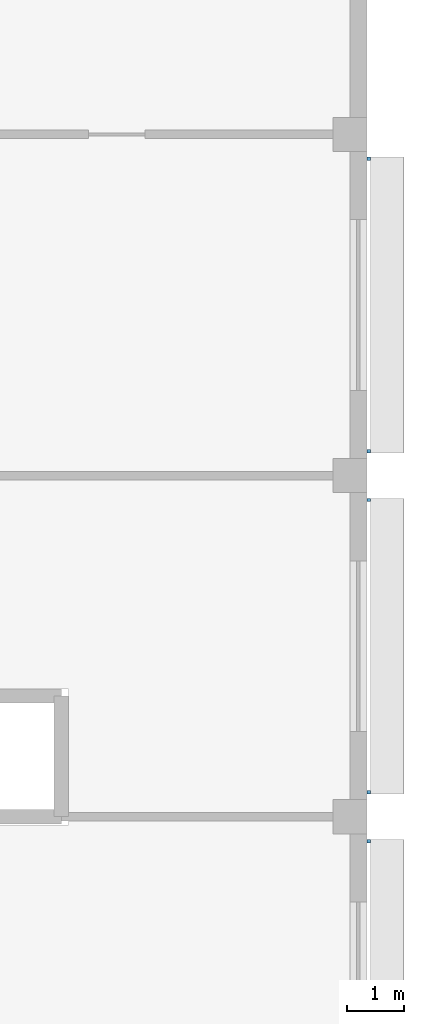
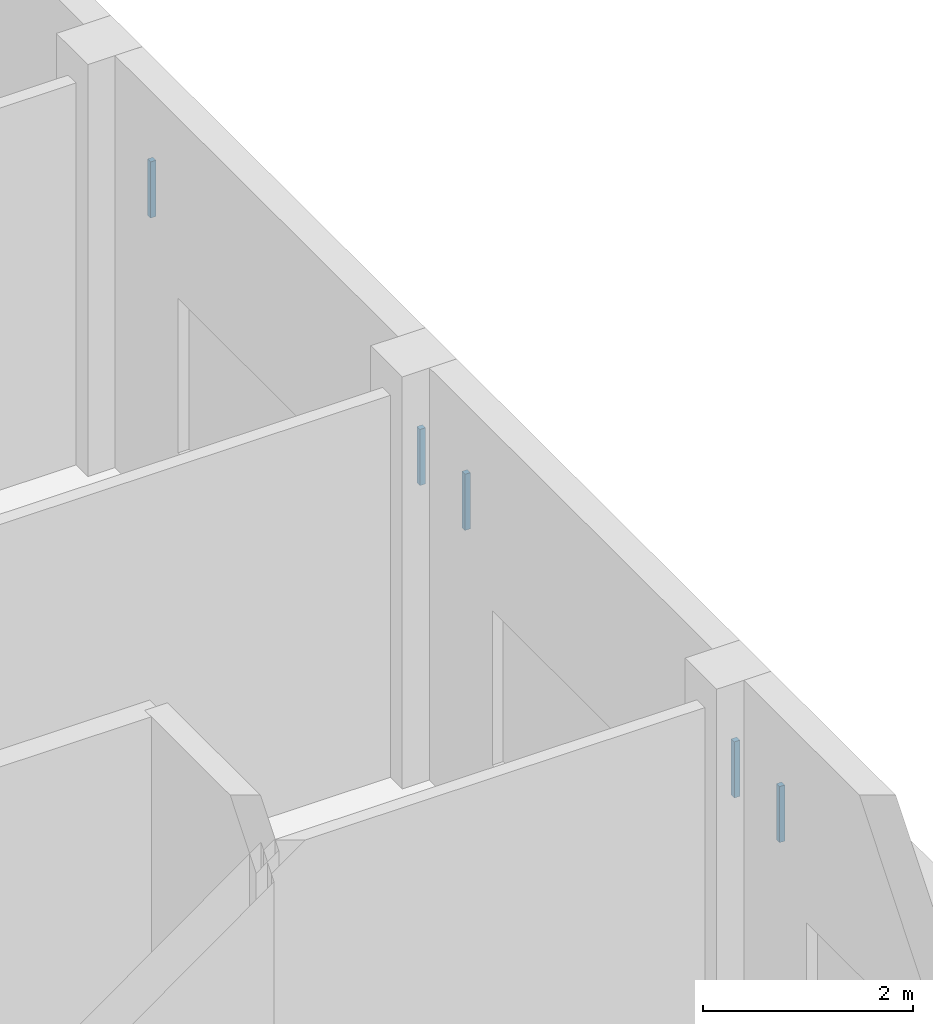
# One storey, part 34 of 45: 5 discrete accessories.
"""IFC4 building model written with IfcOpenShell, lengths in metres."""

from ifc_helpers import new_model, si_unit, direction, frame, origin, origin_2d, place, context, subcontext, project, spatial, rectangle, extrude, material, type_object, element, save


model = new_model("IFC4")

# Units and contexts
model_context = context("Model", 3, precision=1e-05, world=origin(), true_north=direction((0.0, 1.0)))
body_context = subcontext(model_context, "Body", "Model", "MODEL_VIEW")
ifc_project = project(units=[si_unit("LENGTHUNIT", "METRE"), si_unit("AREAUNIT", "SQUARE_METRE"), si_unit("VOLUMEUNIT", "CUBIC_METRE"), si_unit("PLANEANGLEUNIT", "RADIAN"), si_unit("MASSUNIT", "GRAM", prefix="KILO")], contexts=[model_context])

# Site, building, storey
site_placement = place(None, origin())
site = spatial("IfcSite", under=ifc_project, at=site_placement, CompositionType="ELEMENT")
building_placement = place(site_placement, origin())
building = spatial("IfcBuilding", under=site, at=building_placement, Name="Nakaniwa Court", CompositionType="ELEMENT")
storey_placement = place(building_placement, frame((0.0, 0.0, 6.60009765625)))
storey = spatial("IfcBuildingStorey", under=building, at=storey_placement, Name="L01", CompositionType="ELEMENT", Elevation=6.60009765625)

# Discrete accessories
ifc_material = material(Name="Black powder-coated steel bracket S275", Category="steel")
discrete_accessory_type = type_object("IfcDiscreteAccessoryType", Name="Hall black metal louvre bracket", PredefinedType="BRACKET", material=ifc_material)
for number, where, z_axis, x_axis, name in (
    (1, (218.030029296875, 91.570068359375, 2.89794921875), (0.0, 0.0, 1.0), (0.0, -1.0, 0.0), "Louvre bracket L01 024.1"),
    (2, (218.030029296875, 86.429931640625, 2.89794921875), (0.0, 0.0, 1.0), (0.0, -1.0, 0.0), "Louvre bracket L01 024.2"),
    (3, (218.030029296875, 85.570068359375, 2.89794921875), (0.0, 0.0, 1.0), (0.0, -1.0, 0.0), "Louvre bracket L01 025.1"),
    (4, (218.030029296875, 80.429931640625, 2.89794921875), (0.0, 0.0, 1.0), (0.0, -1.0, 0.0), "Louvre bracket L01 025.2"),
    (5, (218.030029296875, 79.570068359375, 2.89794921875), (0.0, 0.0, 1.0), (0.0, -1.0, 0.0), "Louvre bracket L01 026.1"),
):
    element("IfcDiscreteAccessory", number, at=place(storey_placement, frame(where, z_axis=z_axis, x_axis=x_axis)), inside=storey, type_object=discrete_accessory_type, Name=name, PredefinedType="BRACKET", context=body_context, shape_type="SweptSolid", body=[
        extrude(rectangle(XDim=0.06005859375, YDim=0.06005859375, at=origin_2d()), origin(), (0.0, 0.0, 1.0), 0.653564453125),
    ])

save(model, "model.ifc")
